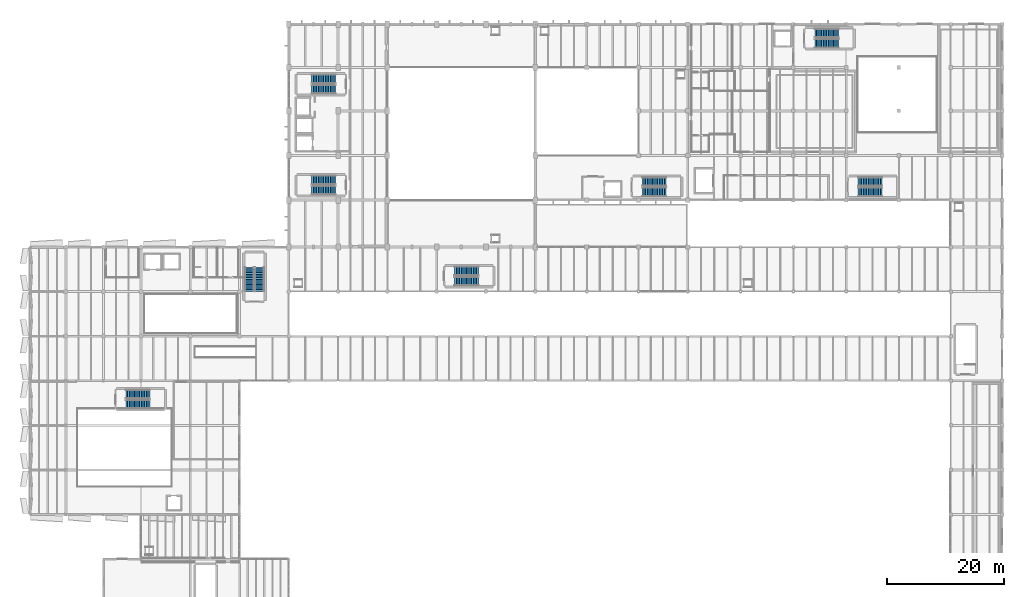
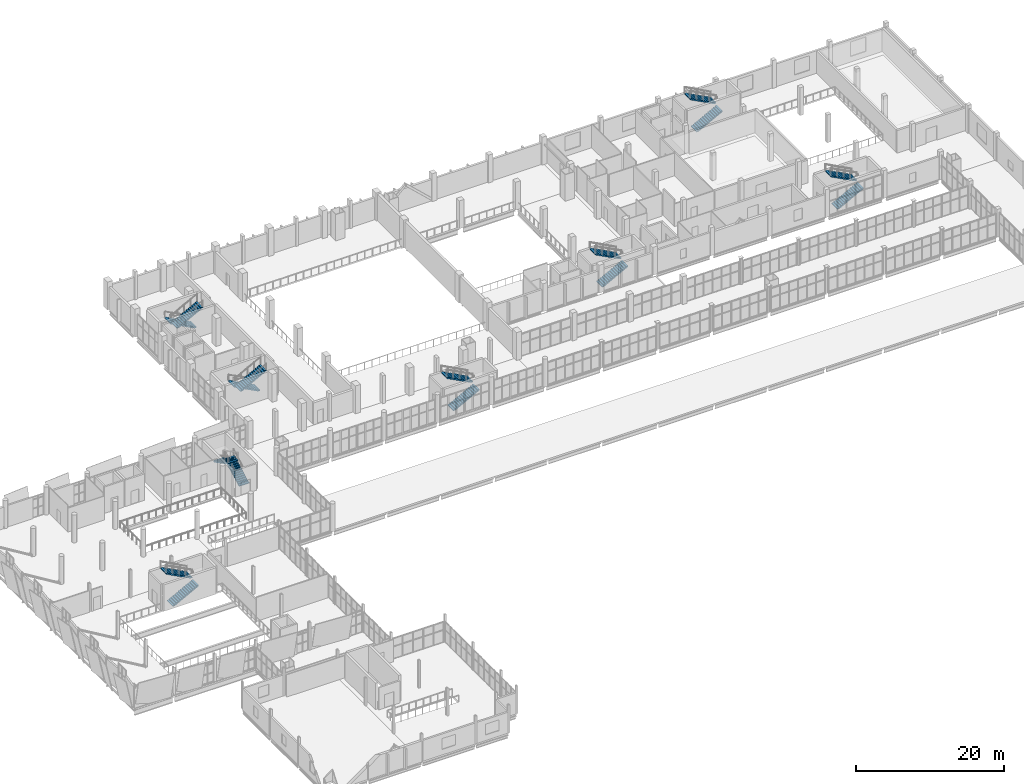
# One storey, part 126 of 136: 16 stair flights, 8 elements without a shape of their own.
"""IFC4 building model written with IfcOpenShell, lengths in metres."""

from ifc_helpers import new_model, si_unit, direction, frame, origin, place, context, subcontext, project, spatial, polyline, outline, extrude, material, layer, layer_set, type_object, element, aggregate, save


model = new_model("IFC4")

# Units and contexts
model_context = context("Model", 3, precision=1e-05, world=origin(), true_north=direction((0.0, 1.0)))
body_context = subcontext(model_context, "Body", "Model", "MODEL_VIEW")
ifc_project = project(units=[si_unit("LENGTHUNIT", "METRE"), si_unit("AREAUNIT", "SQUARE_METRE"), si_unit("VOLUMEUNIT", "CUBIC_METRE"), si_unit("PLANEANGLEUNIT", "RADIAN"), si_unit("MASSUNIT", "GRAM", prefix="KILO")], contexts=[model_context])

# Site, building, storey
site_placement = place(None, origin())
site = spatial("IfcSite", under=ifc_project, at=site_placement, CompositionType="ELEMENT")
building_placement = place(site_placement, origin())
building = spatial("IfcBuilding", under=site, at=building_placement, Name="Shengluoqiao Park Theatre", CompositionType="ELEMENT")
storey_placement = place(building_placement, frame((0.0, 0.0, 10.0)))
storey = spatial("IfcBuildingStorey", under=building, at=storey_placement, Name="L02", CompositionType="ELEMENT", Elevation=10.0)

# Stair, stair flights
ifc_material = material(Name="Concrete C40", Category="concrete")
stair_type = type_object("IfcStairType", Name="INT-STR-CORE", PredefinedType="HALF_TURN_STAIR", material=ifc_material)
stair_1_placement = place(storey_placement, origin())
stair_1 = element("IfcStair", 1, at=stair_1_placement, inside=storey, type_object=stair_type, Name="L02 West Foyer Escape Stair 01", PredefinedType="HALF_TURN_STAIR")
ifc_layer = layer(ifc_material, 0.159912109375, Name="Concrete C40")
ifc_layer_set = layer_set([ifc_layer], Name="Concrete C40")
stair_flight_type = type_object("IfcStairFlightType", Name="INT-SFL-156", PredefinedType="STRAIGHT", material=ifc_layer_set)
stair_flight_1_placement = place(storey_placement, frame((39.419921875, 68.449951171875, 0.0), z_axis=(0.0, 0.0, 1.0), x_axis=(0.0, 1.0, 0.0)))
stair_flight_1 = element("IfcStairFlight", 2, at=stair_flight_1_placement, type_object=stair_flight_type, Name="ST-01 flight 1", NumberOfRisers=15, NumberOfTreads=14, PredefinedType="STRAIGHT", RiserHeight=0.153333333, TreadLength=0.29, context=body_context, shape_type="SweptSolid", body=[
    extrude(outline(polyline([(0.0, 0.0), (0.0, 0.1533203125), (0.2900390625, 0.1533203125), (0.2900390625, 0.306640625), (0.580078125, 0.306640625), (0.580078125, 0.4599609375), (0.8701171875, 0.4599609375), (0.8701171875, 0.61328125), (1.159912109375, 0.61328125), (1.159912109375, 0.7666015625), (1.449951171875, 0.7666015625), (1.449951171875, 0.919921875), (1.739990234375, 0.919921875), (1.739990234375, 1.0732421875), (2.030029296875, 1.0732421875), (2.030029296875, 1.2265625), (2.320068359375, 1.2265625), (2.320068359375, 1.3798828125), (2.610107421875, 1.3798828125), (2.610107421875, 1.533447265625), (2.89990234375, 1.533447265625), (2.89990234375, 1.686767578125), (3.18994140625, 1.686767578125), (3.18994140625, 1.840087890625), (3.47998046875, 1.840087890625), (3.47998046875, 1.993408203125), (3.77001953125, 1.993408203125), (3.77001953125, 2.146728515625), (4.06005859375, 2.146728515625), (4.06005859375, 2.300048828125), (4.06005859375, 1.97705078125), (0.32080078125, 0.0), (0.0, 0.0)])), frame((0.0, 0.780029296875, 0.0), z_axis=(0.0, -1.0, 0.0), x_axis=(1.0, 0.0, 0.0)), (0.0, 0.0, 1.0), 1.56005859375),
])
stair_flight_2_placement = place(storey_placement, frame((37.679931640625, 72.510009765625, 2.300048828125), z_axis=(0.0, 0.0, 1.0), x_axis=(0.0, -1.0, 0.0)))
stair_flight_2 = element("IfcStairFlight", 3, at=stair_flight_2_placement, type_object=stair_flight_type, Name="ST-01 flight 2", NumberOfRisers=15, NumberOfTreads=14, PredefinedType="STRAIGHT", RiserHeight=0.153333333, TreadLength=0.29, context=body_context, shape_type="SweptSolid", body=[
    extrude(outline(polyline([(0.0, 0.0), (0.0, 0.1533203125), (0.2900390625, 0.1533203125), (0.2900390625, 0.306640625), (0.580078125, 0.306640625), (0.580078125, 0.4599609375), (0.8701171875, 0.4599609375), (0.8701171875, 0.61328125), (1.159912109375, 0.61328125), (1.159912109375, 0.7666015625), (1.449951171875, 0.7666015625), (1.449951171875, 0.919921875), (1.739990234375, 0.919921875), (1.739990234375, 1.0732421875), (2.030029296875, 1.0732421875), (2.030029296875, 1.2265625), (2.320068359375, 1.2265625), (2.320068359375, 1.3798828125), (2.610107421875, 1.3798828125), (2.610107421875, 1.533447265625), (2.89990234375, 1.533447265625), (2.89990234375, 1.686767578125), (3.18994140625, 1.686767578125), (3.18994140625, 1.840087890625), (3.47998046875, 1.840087890625), (3.47998046875, 1.993408203125), (3.77001953125, 1.993408203125), (3.77001953125, 2.146728515625), (4.06005859375, 2.146728515625), (4.06005859375, 2.300048828125), (4.06005859375, 1.97705078125), (0.32080078125, 0.0), (0.0, 0.0)])), frame((0.0, 0.780029296875, 0.0), z_axis=(0.0, -1.0, 0.0), x_axis=(1.0, 0.0, 0.0)), (0.0, 0.0, 1.0), 1.56005859375),
])
aggregate(stair_1, [stair_flight_1, stair_flight_2])

stair_2_placement = place(storey_placement, origin())
stair_2 = element("IfcStair", 4, at=stair_2_placement, inside=storey, type_object=stair_type, Name="L02 Auditorium South-West Escape Stair 02", PredefinedType="HALF_TURN_STAIR")
stair_flight_3_placement = place(storey_placement, frame((52.35009765625, 87.419921875, 0.0), z_axis=(0.0, 0.0, 1.0), x_axis=(-1.0, 0.0, 0.0)))
stair_flight_3 = element("IfcStairFlight", 5, at=stair_flight_3_placement, type_object=stair_flight_type, Name="ST-02 flight 1", NumberOfRisers=15, NumberOfTreads=14, PredefinedType="STRAIGHT", RiserHeight=0.153333333, TreadLength=0.29, context=body_context, shape_type="SweptSolid", body=[
    extrude(outline(polyline([(0.0, 0.0), (0.0, 0.1533203125), (0.2900390625, 0.1533203125), (0.2900390625, 0.306640625), (0.580078125, 0.306640625), (0.580078125, 0.4599609375), (0.8701171875, 0.4599609375), (0.8701171875, 0.61328125), (1.159912109375, 0.61328125), (1.159912109375, 0.7666015625), (1.449951171875, 0.7666015625), (1.449951171875, 0.919921875), (1.739990234375, 0.919921875), (1.739990234375, 1.0732421875), (2.030029296875, 1.0732421875), (2.030029296875, 1.2265625), (2.320068359375, 1.2265625), (2.320068359375, 1.3798828125), (2.610107421875, 1.3798828125), (2.610107421875, 1.533447265625), (2.89990234375, 1.533447265625), (2.89990234375, 1.686767578125), (3.18994140625, 1.686767578125), (3.18994140625, 1.840087890625), (3.47998046875, 1.840087890625), (3.47998046875, 1.993408203125), (3.77001953125, 1.993408203125), (3.77001953125, 2.146728515625), (4.06005859375, 2.146728515625), (4.06005859375, 2.300048828125), (4.06005859375, 1.97705078125), (0.32080078125, 0.0), (0.0, 0.0)])), frame((0.0, 0.780029296875, 0.0), z_axis=(0.0, -1.0, 0.0), x_axis=(1.0, 0.0, 0.0)), (0.0, 0.0, 1.0), 1.56005859375),
])
stair_flight_4_placement = place(storey_placement, frame((48.2900390625, 85.679931640625, 2.300048828125), z_axis=(0.0, 0.0, 1.0), x_axis=(1.0, 0.0, 0.0)))
stair_flight_4 = element("IfcStairFlight", 6, at=stair_flight_4_placement, type_object=stair_flight_type, Name="ST-02 flight 2", NumberOfRisers=15, NumberOfTreads=14, PredefinedType="STRAIGHT", RiserHeight=0.153333333, TreadLength=0.29, context=body_context, shape_type="SweptSolid", body=[
    extrude(outline(polyline([(0.0, 0.0), (0.0, 0.1533203125), (0.2900390625, 0.1533203125), (0.2900390625, 0.306640625), (0.580078125, 0.306640625), (0.580078125, 0.4599609375), (0.8701171875, 0.4599609375), (0.8701171875, 0.61328125), (1.159912109375, 0.61328125), (1.159912109375, 0.7666015625), (1.449951171875, 0.7666015625), (1.449951171875, 0.919921875), (1.739990234375, 0.919921875), (1.739990234375, 1.0732421875), (2.030029296875, 1.0732421875), (2.030029296875, 1.2265625), (2.320068359375, 1.2265625), (2.320068359375, 1.3798828125), (2.610107421875, 1.3798828125), (2.610107421875, 1.533447265625), (2.89990234375, 1.533447265625), (2.89990234375, 1.686767578125), (3.18994140625, 1.686767578125), (3.18994140625, 1.840087890625), (3.47998046875, 1.840087890625), (3.47998046875, 1.993408203125), (3.77001953125, 1.993408203125), (3.77001953125, 2.146728515625), (4.06005859375, 2.146728515625), (4.06005859375, 2.300048828125), (4.06005859375, 1.97705078125), (0.32080078125, 0.0), (0.0, 0.0)])), frame((0.0, 0.780029296875, 0.0), z_axis=(0.0, -1.0, 0.0), x_axis=(1.0, 0.0, 0.0)), (0.0, 0.0, 1.0), 1.56005859375),
])
aggregate(stair_2, [stair_flight_3, stair_flight_4])

stair_3_placement = place(storey_placement, origin())
stair_3 = element("IfcStair", 7, at=stair_3_placement, inside=storey, type_object=stair_type, Name="L02 Auditorium North-West Escape Stair 03", PredefinedType="HALF_TURN_STAIR")
stair_flight_5_placement = place(storey_placement, frame((52.35009765625, 104.6201171875, 0.0), z_axis=(0.0, 0.0, 1.0), x_axis=(-1.0, 0.0, 0.0)))
stair_flight_5 = element("IfcStairFlight", 8, at=stair_flight_5_placement, type_object=stair_flight_type, Name="ST-03 flight 1", NumberOfRisers=15, NumberOfTreads=14, PredefinedType="STRAIGHT", RiserHeight=0.153333333, TreadLength=0.29, context=body_context, shape_type="SweptSolid", body=[
    extrude(outline(polyline([(0.0, 0.0), (0.0, 0.1533203125), (0.2900390625, 0.1533203125), (0.2900390625, 0.306640625), (0.580078125, 0.306640625), (0.580078125, 0.4599609375), (0.8701171875, 0.4599609375), (0.8701171875, 0.61328125), (1.159912109375, 0.61328125), (1.159912109375, 0.7666015625), (1.449951171875, 0.7666015625), (1.449951171875, 0.919921875), (1.739990234375, 0.919921875), (1.739990234375, 1.0732421875), (2.030029296875, 1.0732421875), (2.030029296875, 1.2265625), (2.320068359375, 1.2265625), (2.320068359375, 1.3798828125), (2.610107421875, 1.3798828125), (2.610107421875, 1.533447265625), (2.89990234375, 1.533447265625), (2.89990234375, 1.686767578125), (3.18994140625, 1.686767578125), (3.18994140625, 1.840087890625), (3.47998046875, 1.840087890625), (3.47998046875, 1.993408203125), (3.77001953125, 1.993408203125), (3.77001953125, 2.146728515625), (4.06005859375, 2.146728515625), (4.06005859375, 2.300048828125), (4.06005859375, 1.97705078125), (0.32080078125, 0.0), (0.0, 0.0)])), frame((0.0, 0.780029296875, 0.0), z_axis=(0.0, -1.0, 0.0), x_axis=(1.0, 0.0, 0.0)), (0.0, 0.0, 1.0), 1.56005859375),
])
stair_flight_6_placement = place(storey_placement, frame((48.2900390625, 102.8798828125, 2.300048828125), z_axis=(0.0, 0.0, 1.0), x_axis=(1.0, 0.0, 0.0)))
stair_flight_6 = element("IfcStairFlight", 9, at=stair_flight_6_placement, type_object=stair_flight_type, Name="ST-03 flight 2", NumberOfRisers=15, NumberOfTreads=14, PredefinedType="STRAIGHT", RiserHeight=0.153333333, TreadLength=0.29, context=body_context, shape_type="SweptSolid", body=[
    extrude(outline(polyline([(0.0, 0.0), (0.0, 0.1533203125), (0.2900390625, 0.1533203125), (0.2900390625, 0.306640625), (0.580078125, 0.306640625), (0.580078125, 0.4599609375), (0.8701171875, 0.4599609375), (0.8701171875, 0.61328125), (1.159912109375, 0.61328125), (1.159912109375, 0.7666015625), (1.449951171875, 0.7666015625), (1.449951171875, 0.919921875), (1.739990234375, 0.919921875), (1.739990234375, 1.0732421875), (2.030029296875, 1.0732421875), (2.030029296875, 1.2265625), (2.320068359375, 1.2265625), (2.320068359375, 1.3798828125), (2.610107421875, 1.3798828125), (2.610107421875, 1.533447265625), (2.89990234375, 1.533447265625), (2.89990234375, 1.686767578125), (3.18994140625, 1.686767578125), (3.18994140625, 1.840087890625), (3.47998046875, 1.840087890625), (3.47998046875, 1.993408203125), (3.77001953125, 1.993408203125), (3.77001953125, 2.146728515625), (4.06005859375, 2.146728515625), (4.06005859375, 2.300048828125), (4.06005859375, 1.97705078125), (0.32080078125, 0.0), (0.0, 0.0)])), frame((0.0, 0.780029296875, 0.0), z_axis=(0.0, -1.0, 0.0), x_axis=(1.0, 0.0, 0.0)), (0.0, 0.0, 1.0), 1.56005859375),
])
aggregate(stair_3, [stair_flight_5, stair_flight_6])

stair_4_placement = place(storey_placement, origin())
stair_4 = element("IfcStair", 10, at=stair_4_placement, inside=storey, type_object=stair_type, Name="L02 Stage and Fly Tower Escape Stair 05", PredefinedType="HALF_TURN_STAIR")
stair_flight_7_placement = place(storey_placement, frame((104.64990234375, 85.3798828125, 0.0), z_axis=(0.0, 0.0, 1.0), x_axis=(1.0, 0.0, 0.0)))
stair_flight_7 = element("IfcStairFlight", 11, at=stair_flight_7_placement, type_object=stair_flight_type, Name="ST-05 flight 1", NumberOfRisers=15, NumberOfTreads=14, PredefinedType="STRAIGHT", RiserHeight=0.153333333, TreadLength=0.29, context=body_context, shape_type="SweptSolid", body=[
    extrude(outline(polyline([(0.0, 0.0), (0.0, 0.1533203125), (0.2900390625, 0.1533203125), (0.2900390625, 0.306640625), (0.580078125, 0.306640625), (0.580078125, 0.4599609375), (0.8701171875, 0.4599609375), (0.8701171875, 0.61328125), (1.159912109375, 0.61328125), (1.159912109375, 0.7666015625), (1.449951171875, 0.7666015625), (1.449951171875, 0.919921875), (1.739990234375, 0.919921875), (1.739990234375, 1.0732421875), (2.030029296875, 1.0732421875), (2.030029296875, 1.2265625), (2.320068359375, 1.2265625), (2.320068359375, 1.3798828125), (2.610107421875, 1.3798828125), (2.610107421875, 1.533447265625), (2.89990234375, 1.533447265625), (2.89990234375, 1.686767578125), (3.18994140625, 1.686767578125), (3.18994140625, 1.840087890625), (3.47998046875, 1.840087890625), (3.47998046875, 1.993408203125), (3.77001953125, 1.993408203125), (3.77001953125, 2.146728515625), (4.06005859375, 2.146728515625), (4.06005859375, 2.300048828125), (4.06005859375, 1.97705078125), (0.32080078125, 0.0), (0.0, 0.0)])), frame((0.0, 0.780029296875, 0.0), z_axis=(0.0, -1.0, 0.0), x_axis=(1.0, 0.0, 0.0)), (0.0, 0.0, 1.0), 1.56005859375),
])
stair_flight_8_placement = place(storey_placement, frame((108.7099609375, 87.1201171875, 2.300048828125), z_axis=(0.0, 0.0, 1.0), x_axis=(-1.0, 0.0, 0.0)))
stair_flight_8 = element("IfcStairFlight", 12, at=stair_flight_8_placement, type_object=stair_flight_type, Name="ST-05 flight 2", NumberOfRisers=15, NumberOfTreads=14, PredefinedType="STRAIGHT", RiserHeight=0.153333333, TreadLength=0.29, context=body_context, shape_type="SweptSolid", body=[
    extrude(outline(polyline([(0.0, 0.0), (0.0, 0.1533203125), (0.2900390625, 0.1533203125), (0.2900390625, 0.306640625), (0.580078125, 0.306640625), (0.580078125, 0.4599609375), (0.8701171875, 0.4599609375), (0.8701171875, 0.61328125), (1.159912109375, 0.61328125), (1.159912109375, 0.7666015625), (1.449951171875, 0.7666015625), (1.449951171875, 0.919921875), (1.739990234375, 0.919921875), (1.739990234375, 1.0732421875), (2.030029296875, 1.0732421875), (2.030029296875, 1.2265625), (2.320068359375, 1.2265625), (2.320068359375, 1.3798828125), (2.610107421875, 1.3798828125), (2.610107421875, 1.533447265625), (2.89990234375, 1.533447265625), (2.89990234375, 1.686767578125), (3.18994140625, 1.686767578125), (3.18994140625, 1.840087890625), (3.47998046875, 1.840087890625), (3.47998046875, 1.993408203125), (3.77001953125, 1.993408203125), (3.77001953125, 2.146728515625), (4.06005859375, 2.146728515625), (4.06005859375, 2.300048828125), (4.06005859375, 1.97705078125), (0.32080078125, 0.0), (0.0, 0.0)])), frame((0.0, 0.780029296875, 0.0), z_axis=(0.0, -1.0, 0.0), x_axis=(1.0, 0.0, 0.0)), (0.0, 0.0, 1.0), 1.56005859375),
])
aggregate(stair_4, [stair_flight_7, stair_flight_8])

stair_5_placement = place(storey_placement, origin())
stair_5 = element("IfcStair", 13, at=stair_5_placement, inside=storey, type_object=stair_type, Name="L02 Backstage and Workshop Escape Stair 06", PredefinedType="HALF_TURN_STAIR")
stair_flight_9_placement = place(storey_placement, frame((134.050048828125, 110.679931640625, 0.0), z_axis=(0.0, 0.0, 1.0), x_axis=(1.0, 0.0, 0.0)))
stair_flight_9 = element("IfcStairFlight", 14, at=stair_flight_9_placement, type_object=stair_flight_type, Name="ST-06 flight 1", NumberOfRisers=15, NumberOfTreads=14, PredefinedType="STRAIGHT", RiserHeight=0.153333333, TreadLength=0.29, context=body_context, shape_type="SweptSolid", body=[
    extrude(outline(polyline([(0.0, 0.0), (0.0, 0.1533203125), (0.2900390625, 0.1533203125), (0.2900390625, 0.306640625), (0.580078125, 0.306640625), (0.580078125, 0.4599609375), (0.8701171875, 0.4599609375), (0.8701171875, 0.61328125), (1.159912109375, 0.61328125), (1.159912109375, 0.7666015625), (1.449951171875, 0.7666015625), (1.449951171875, 0.919921875), (1.739990234375, 0.919921875), (1.739990234375, 1.0732421875), (2.030029296875, 1.0732421875), (2.030029296875, 1.2265625), (2.320068359375, 1.2265625), (2.320068359375, 1.3798828125), (2.610107421875, 1.3798828125), (2.610107421875, 1.533447265625), (2.89990234375, 1.533447265625), (2.89990234375, 1.686767578125), (3.18994140625, 1.686767578125), (3.18994140625, 1.840087890625), (3.47998046875, 1.840087890625), (3.47998046875, 1.993408203125), (3.77001953125, 1.993408203125), (3.77001953125, 2.146728515625), (4.06005859375, 2.146728515625), (4.06005859375, 2.300048828125), (4.06005859375, 1.97705078125), (0.32080078125, 0.0), (0.0, 0.0)])), frame((0.0, 0.780029296875, 0.0), z_axis=(0.0, -1.0, 0.0), x_axis=(1.0, 0.0, 0.0)), (0.0, 0.0, 1.0), 1.56005859375),
])
stair_flight_10_placement = place(storey_placement, frame((138.110107421875, 112.419921875, 2.300048828125), z_axis=(0.0, 0.0, 1.0), x_axis=(-1.0, 0.0, 0.0)))
stair_flight_10 = element("IfcStairFlight", 15, at=stair_flight_10_placement, type_object=stair_flight_type, Name="ST-06 flight 2", NumberOfRisers=15, NumberOfTreads=14, PredefinedType="STRAIGHT", RiserHeight=0.153333333, TreadLength=0.29, context=body_context, shape_type="SweptSolid", body=[
    extrude(outline(polyline([(0.0, 0.0), (0.0, 0.1533203125), (0.2900390625, 0.1533203125), (0.2900390625, 0.306640625), (0.580078125, 0.306640625), (0.580078125, 0.4599609375), (0.8701171875, 0.4599609375), (0.8701171875, 0.61328125), (1.159912109375, 0.61328125), (1.159912109375, 0.7666015625), (1.449951171875, 0.7666015625), (1.449951171875, 0.919921875), (1.739990234375, 0.919921875), (1.739990234375, 1.0732421875), (2.030029296875, 1.0732421875), (2.030029296875, 1.2265625), (2.320068359375, 1.2265625), (2.320068359375, 1.3798828125), (2.610107421875, 1.3798828125), (2.610107421875, 1.533447265625), (2.89990234375, 1.533447265625), (2.89990234375, 1.686767578125), (3.18994140625, 1.686767578125), (3.18994140625, 1.840087890625), (3.47998046875, 1.840087890625), (3.47998046875, 1.993408203125), (3.77001953125, 1.993408203125), (3.77001953125, 2.146728515625), (4.06005859375, 2.146728515625), (4.06005859375, 2.300048828125), (4.06005859375, 1.97705078125), (0.32080078125, 0.0), (0.0, 0.0)])), frame((0.0, 0.780029296875, 0.0), z_axis=(0.0, -1.0, 0.0), x_axis=(1.0, 0.0, 0.0)), (0.0, 0.0, 1.0), 1.56005859375),
])
aggregate(stair_5, [stair_flight_9, stair_flight_10])

stair_6_placement = place(storey_placement, origin())
stair_6 = element("IfcStair", 16, at=stair_6_placement, inside=storey, type_object=stair_type, Name="L02 Upper Backstage Escape Stair 10", PredefinedType="HALF_TURN_STAIR")
stair_flight_11_placement = place(storey_placement, frame((141.449951171875, 85.3798828125, 0.0), z_axis=(0.0, 0.0, 1.0), x_axis=(1.0, 0.0, 0.0)))
stair_flight_11 = element("IfcStairFlight", 17, at=stair_flight_11_placement, type_object=stair_flight_type, Name="ST-10 flight 1", NumberOfRisers=15, NumberOfTreads=14, PredefinedType="STRAIGHT", RiserHeight=0.153333333, TreadLength=0.29, context=body_context, shape_type="SweptSolid", body=[
    extrude(outline(polyline([(0.0, 0.0), (0.0, 0.1533203125), (0.2900390625, 0.1533203125), (0.2900390625, 0.306640625), (0.580078125, 0.306640625), (0.580078125, 0.4599609375), (0.8701171875, 0.4599609375), (0.8701171875, 0.61328125), (1.159912109375, 0.61328125), (1.159912109375, 0.7666015625), (1.449951171875, 0.7666015625), (1.449951171875, 0.919921875), (1.739990234375, 0.919921875), (1.739990234375, 1.0732421875), (2.030029296875, 1.0732421875), (2.030029296875, 1.2265625), (2.320068359375, 1.2265625), (2.320068359375, 1.3798828125), (2.610107421875, 1.3798828125), (2.610107421875, 1.533447265625), (2.89990234375, 1.533447265625), (2.89990234375, 1.686767578125), (3.18994140625, 1.686767578125), (3.18994140625, 1.840087890625), (3.47998046875, 1.840087890625), (3.47998046875, 1.993408203125), (3.77001953125, 1.993408203125), (3.77001953125, 2.146728515625), (4.06005859375, 2.146728515625), (4.06005859375, 2.300048828125), (4.06005859375, 1.97705078125), (0.32080078125, 0.0), (0.0, 0.0)])), frame((0.0, 0.780029296875, 0.0), z_axis=(0.0, -1.0, 0.0), x_axis=(1.0, 0.0, 0.0)), (0.0, 0.0, 1.0), 1.56005859375),
])
stair_flight_12_placement = place(storey_placement, frame((145.510009765625, 87.1201171875, 2.300048828125), z_axis=(0.0, 0.0, 1.0), x_axis=(-1.0, 0.0, 0.0)))
stair_flight_12 = element("IfcStairFlight", 18, at=stair_flight_12_placement, type_object=stair_flight_type, Name="ST-10 flight 2", NumberOfRisers=15, NumberOfTreads=14, PredefinedType="STRAIGHT", RiserHeight=0.153333333, TreadLength=0.29, context=body_context, shape_type="SweptSolid", body=[
    extrude(outline(polyline([(0.0, 0.0), (0.0, 0.1533203125), (0.2900390625, 0.1533203125), (0.2900390625, 0.306640625), (0.580078125, 0.306640625), (0.580078125, 0.4599609375), (0.8701171875, 0.4599609375), (0.8701171875, 0.61328125), (1.159912109375, 0.61328125), (1.159912109375, 0.7666015625), (1.449951171875, 0.7666015625), (1.449951171875, 0.919921875), (1.739990234375, 0.919921875), (1.739990234375, 1.0732421875), (2.030029296875, 1.0732421875), (2.030029296875, 1.2265625), (2.320068359375, 1.2265625), (2.320068359375, 1.3798828125), (2.610107421875, 1.3798828125), (2.610107421875, 1.533447265625), (2.89990234375, 1.533447265625), (2.89990234375, 1.686767578125), (3.18994140625, 1.686767578125), (3.18994140625, 1.840087890625), (3.47998046875, 1.840087890625), (3.47998046875, 1.993408203125), (3.77001953125, 1.993408203125), (3.77001953125, 2.146728515625), (4.06005859375, 2.146728515625), (4.06005859375, 2.300048828125), (4.06005859375, 1.97705078125), (0.32080078125, 0.0), (0.0, 0.0)])), frame((0.0, 0.780029296875, 0.0), z_axis=(0.0, -1.0, 0.0), x_axis=(1.0, 0.0, 0.0)), (0.0, 0.0, 1.0), 1.56005859375),
])
aggregate(stair_6, [stair_flight_11, stair_flight_12])

stair_7_placement = place(storey_placement, origin())
stair_7 = element("IfcStair", 19, at=stair_7_placement, inside=storey, type_object=stair_type, Name="L02 South Promenade Escape Stair 11", PredefinedType="HALF_TURN_STAIR")
stair_flight_13_placement = place(storey_placement, frame((72.64990234375, 70.179931640625, 0.0), z_axis=(0.0, 0.0, 1.0), x_axis=(1.0, 0.0, 0.0)))
stair_flight_13 = element("IfcStairFlight", 20, at=stair_flight_13_placement, type_object=stair_flight_type, Name="ST-11 flight 1", NumberOfRisers=15, NumberOfTreads=14, PredefinedType="STRAIGHT", RiserHeight=0.153333333, TreadLength=0.29, context=body_context, shape_type="SweptSolid", body=[
    extrude(outline(polyline([(0.0, 0.0), (0.0, 0.1533203125), (0.2900390625, 0.1533203125), (0.2900390625, 0.306640625), (0.580078125, 0.306640625), (0.580078125, 0.4599609375), (0.8701171875, 0.4599609375), (0.8701171875, 0.61328125), (1.159912109375, 0.61328125), (1.159912109375, 0.7666015625), (1.449951171875, 0.7666015625), (1.449951171875, 0.919921875), (1.739990234375, 0.919921875), (1.739990234375, 1.0732421875), (2.030029296875, 1.0732421875), (2.030029296875, 1.2265625), (2.320068359375, 1.2265625), (2.320068359375, 1.3798828125), (2.610107421875, 1.3798828125), (2.610107421875, 1.533447265625), (2.89990234375, 1.533447265625), (2.89990234375, 1.686767578125), (3.18994140625, 1.686767578125), (3.18994140625, 1.840087890625), (3.47998046875, 1.840087890625), (3.47998046875, 1.993408203125), (3.77001953125, 1.993408203125), (3.77001953125, 2.146728515625), (4.06005859375, 2.146728515625), (4.06005859375, 2.300048828125), (4.06005859375, 1.97705078125), (0.32080078125, 0.0), (0.0, 0.0)])), frame((0.0, 0.780029296875, 0.0), z_axis=(0.0, -1.0, 0.0), x_axis=(1.0, 0.0, 0.0)), (0.0, 0.0, 1.0), 1.56005859375),
])
stair_flight_14_placement = place(storey_placement, frame((76.7099609375, 71.919921875, 2.300048828125), z_axis=(0.0, 0.0, 1.0), x_axis=(-1.0, 0.0, 0.0)))
stair_flight_14 = element("IfcStairFlight", 21, at=stair_flight_14_placement, type_object=stair_flight_type, Name="ST-11 flight 2", NumberOfRisers=15, NumberOfTreads=14, PredefinedType="STRAIGHT", RiserHeight=0.153333333, TreadLength=0.29, context=body_context, shape_type="SweptSolid", body=[
    extrude(outline(polyline([(0.0, 0.0), (0.0, 0.1533203125), (0.2900390625, 0.1533203125), (0.2900390625, 0.306640625), (0.580078125, 0.306640625), (0.580078125, 0.4599609375), (0.8701171875, 0.4599609375), (0.8701171875, 0.61328125), (1.159912109375, 0.61328125), (1.159912109375, 0.7666015625), (1.449951171875, 0.7666015625), (1.449951171875, 0.919921875), (1.739990234375, 0.919921875), (1.739990234375, 1.0732421875), (2.030029296875, 1.0732421875), (2.030029296875, 1.2265625), (2.320068359375, 1.2265625), (2.320068359375, 1.3798828125), (2.610107421875, 1.3798828125), (2.610107421875, 1.533447265625), (2.89990234375, 1.533447265625), (2.89990234375, 1.686767578125), (3.18994140625, 1.686767578125), (3.18994140625, 1.840087890625), (3.47998046875, 1.840087890625), (3.47998046875, 1.993408203125), (3.77001953125, 1.993408203125), (3.77001953125, 2.146728515625), (4.06005859375, 2.146728515625), (4.06005859375, 2.300048828125), (4.06005859375, 1.97705078125), (0.32080078125, 0.0), (0.0, 0.0)])), frame((0.0, 0.780029296875, 0.0), z_axis=(0.0, -1.0, 0.0), x_axis=(1.0, 0.0, 0.0)), (0.0, 0.0, 1.0), 1.56005859375),
])
aggregate(stair_7, [stair_flight_13, stair_flight_14])

stair_8_placement = place(storey_placement, origin())
stair_8 = element("IfcStair", 22, at=stair_8_placement, inside=storey, type_object=stair_type, Name="L02 Studio Crystal North Escape Stair 13", PredefinedType="HALF_TURN_STAIR")
stair_flight_15_placement = place(storey_placement, frame((16.64990234375, 49.179931640625, 0.0), z_axis=(0.0, 0.0, 1.0), x_axis=(1.0, 0.0, 0.0)))
stair_flight_15 = element("IfcStairFlight", 23, at=stair_flight_15_placement, type_object=stair_flight_type, Name="ST-13 flight 1", NumberOfRisers=15, NumberOfTreads=14, PredefinedType="STRAIGHT", RiserHeight=0.153333333, TreadLength=0.29, context=body_context, shape_type="SweptSolid", body=[
    extrude(outline(polyline([(0.0, 0.0), (0.0, 0.1533203125), (0.2900390625, 0.1533203125), (0.2900390625, 0.306640625), (0.580078125, 0.306640625), (0.580078125, 0.4599609375), (0.8701171875, 0.4599609375), (0.8701171875, 0.61328125), (1.159912109375, 0.61328125), (1.159912109375, 0.7666015625), (1.449951171875, 0.7666015625), (1.449951171875, 0.919921875), (1.739990234375, 0.919921875), (1.739990234375, 1.0732421875), (2.030029296875, 1.0732421875), (2.030029296875, 1.2265625), (2.320068359375, 1.2265625), (2.320068359375, 1.3798828125), (2.610107421875, 1.3798828125), (2.610107421875, 1.533447265625), (2.89990234375, 1.533447265625), (2.89990234375, 1.686767578125), (3.18994140625, 1.686767578125), (3.18994140625, 1.840087890625), (3.47998046875, 1.840087890625), (3.47998046875, 1.993408203125), (3.77001953125, 1.993408203125), (3.77001953125, 2.146728515625), (4.06005859375, 2.146728515625), (4.06005859375, 2.300048828125), (4.06005859375, 1.97705078125), (0.32080078125, 0.0), (0.0, 0.0)])), frame((0.0, 0.780029296875, 0.0), z_axis=(0.0, -1.0, 0.0), x_axis=(1.0, 0.0, 0.0)), (0.0, 0.0, 1.0), 1.56005859375),
])
stair_flight_16_placement = place(storey_placement, frame((20.7099609375, 50.919921875, 2.300048828125), z_axis=(0.0, 0.0, 1.0), x_axis=(-1.0, 0.0, 0.0)))
stair_flight_16 = element("IfcStairFlight", 24, at=stair_flight_16_placement, type_object=stair_flight_type, Name="ST-13 flight 2", NumberOfRisers=15, NumberOfTreads=14, PredefinedType="STRAIGHT", RiserHeight=0.153333333, TreadLength=0.29, context=body_context, shape_type="SweptSolid", body=[
    extrude(outline(polyline([(0.0, 0.0), (0.0, 0.1533203125), (0.2900390625, 0.1533203125), (0.2900390625, 0.306640625), (0.580078125, 0.306640625), (0.580078125, 0.4599609375), (0.8701171875, 0.4599609375), (0.8701171875, 0.61328125), (1.159912109375, 0.61328125), (1.159912109375, 0.7666015625), (1.449951171875, 0.7666015625), (1.449951171875, 0.919921875), (1.739990234375, 0.919921875), (1.739990234375, 1.0732421875), (2.030029296875, 1.0732421875), (2.030029296875, 1.2265625), (2.320068359375, 1.2265625), (2.320068359375, 1.3798828125), (2.610107421875, 1.3798828125), (2.610107421875, 1.533447265625), (2.89990234375, 1.533447265625), (2.89990234375, 1.686767578125), (3.18994140625, 1.686767578125), (3.18994140625, 1.840087890625), (3.47998046875, 1.840087890625), (3.47998046875, 1.993408203125), (3.77001953125, 1.993408203125), (3.77001953125, 2.146728515625), (4.06005859375, 2.146728515625), (4.06005859375, 2.300048828125), (4.06005859375, 1.97705078125), (0.32080078125, 0.0), (0.0, 0.0)])), frame((0.0, 0.780029296875, 0.0), z_axis=(0.0, -1.0, 0.0), x_axis=(1.0, 0.0, 0.0)), (0.0, 0.0, 1.0), 1.56005859375),
])
aggregate(stair_8, [stair_flight_15, stair_flight_16])

save(model, "model.ifc")
